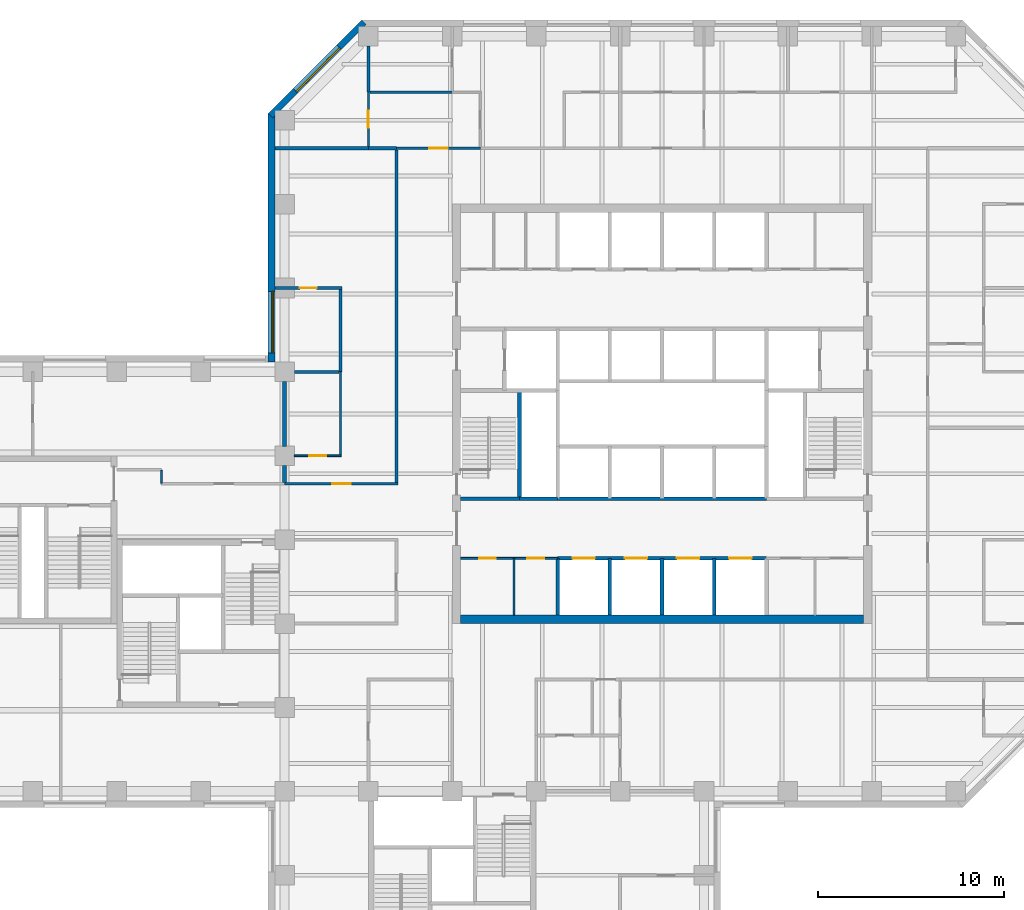
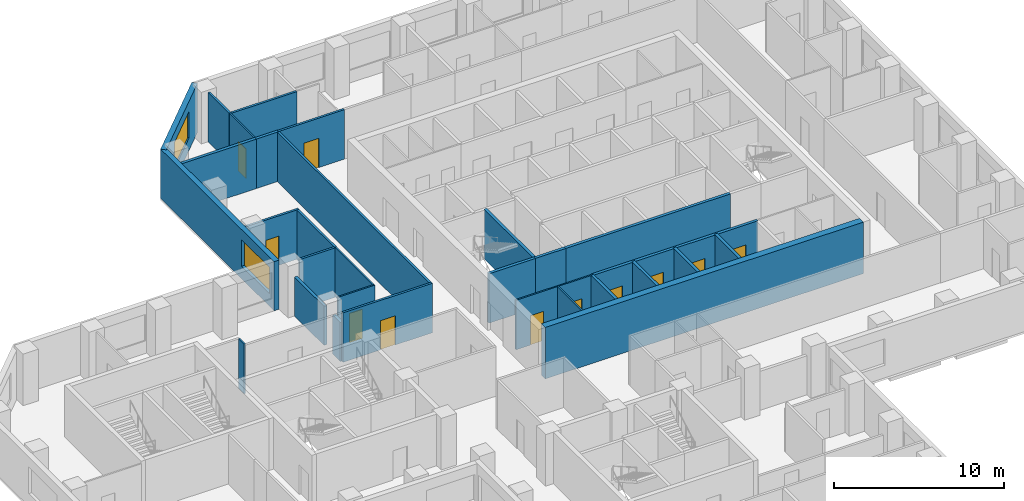
# One storey, part 6 of 11: 30 walls, 11 doors, 2 windows, 13 openings.
"""IFC4 building model written with IfcOpenShell, lengths in metres."""

import ifcopenshell
import ifcopenshell.guid

model = None  # the IFC model being written
_history = None  # IfcOwnerHistory: only IFC2X3 demands one
_inside = {}  # id of a spatial element -> (the spatial element, [elements in it])
_under = {}  # id of a project, library or spatial element -> (it, [spatial elements below it])
_declared = {}  # id of a project -> (the project, [libraries it declares])
_typed = {}  # id of a type object -> (the type object, [elements of that type])
_made_of = {}  # id of a material, layer set ... -> (it, [elements and type objects made of it])


def new_model(schema):
    """Start an empty IFC model of exactly this schema.

    Asked for "IFC4X3", IfcOpenShell would pick the latest addendum, in which some entities
    have other attributes; the version numbers below select the first issue.
    IFC2X3 requires an IfcOwnerHistory on every rooted entity: one is made here for all.
    """
    global model, _history
    if schema == "IFC4X3":
        model = ifcopenshell.file(schema_version=(4, 3, 0, 0))
    else:
        model = ifcopenshell.file(schema=schema)
    _inside.clear()
    _under.clear()
    _declared.clear()
    _typed.clear()
    _made_of.clear()
    _history = None
    if model.schema == "IFC2X3":
        org = make("IfcOrganization", Name="unknown")
        user = make(
            "IfcPersonAndOrganization",
            ThePerson=make("IfcPerson", FamilyName="unknown"),
            TheOrganization=org,
        )
        app = make(
            "IfcApplication",
            ApplicationDeveloper=org,
            Version="unknown",
            ApplicationFullName="unknown",
            ApplicationIdentifier="unknown",
        )
        _history = make(
            "IfcOwnerHistory",
            OwningUser=user,
            OwningApplication=app,
            ChangeAction="ADDED",
            CreationDate=0,
        )
    return model


def make(cls, **values):
    """One entity of the class cls with the attributes given. An attribute that is None is left unset."""
    return model.create_entity(
        cls, **{name: value for name, value in values.items() if value is not None}
    )


def rooted(cls, **values):
    """An entity with a GlobalId (a new one), such as an element, a storey or a relation."""
    return make(cls, GlobalId=ifcopenshell.guid.new(), OwnerHistory=_history, **values)


def si_unit(unit_type, name, prefix=None):
    """IfcSIUnit, for example si_unit("LENGTHUNIT", "METRE", prefix="MILLI")."""
    return make("IfcSIUnit", UnitType=unit_type, Prefix=prefix, Name=name)


def assignment(units):
    """IfcUnitAssignment: the units of a project."""
    return None if units is None else make("IfcUnitAssignment", Units=units)


def point(xyz):
    """IfcCartesianPoint."""
    return None if xyz is None else make("IfcCartesianPoint", Coordinates=xyz)


def direction(xyz):
    """IfcDirection."""
    return None if xyz is None else make("IfcDirection", DirectionRatios=xyz)


def frame(location, z_axis=None, x_axis=None):
    """IfcAxis2Placement3D, a coordinate frame: its origin and axes. An axis left out is left unset."""
    return make(
        "IfcAxis2Placement3D",
        Location=point(location),
        Axis=direction(z_axis),
        RefDirection=direction(x_axis),
    )


def frame_2d(location, x_axis=None):
    """IfcAxis2Placement2D, a coordinate frame in the plane: its origin and x axis."""
    return make(
        "IfcAxis2Placement2D", Location=point(location), RefDirection=direction(x_axis)
    )


def origin():
    """The frame at (0, 0, 0) with its axes left unset."""
    return frame((0.0, 0.0, 0.0))


def place(relative_to, where):
    """IfcLocalPlacement: puts the frame where relative to a parent placement (None: the world)."""
    return make(
        "IfcLocalPlacement", PlacementRelTo=relative_to, RelativePlacement=where
    )


def context(
    kind, dimensions, precision=None, world=None, true_north=None, identifier=None
):
    """IfcGeometricRepresentationContext, for example the 3D "Model" context."""
    return make(
        "IfcGeometricRepresentationContext",
        ContextIdentifier=identifier,
        ContextType=kind,
        CoordinateSpaceDimension=dimensions,
        Precision=precision,
        WorldCoordinateSystem=world,
        TrueNorth=true_north,
    )


def subcontext(parent, identifier, kind, view, scale=None):
    """IfcGeometricRepresentationSubContext, for example "Body" below "Model"."""
    return make(
        "IfcGeometricRepresentationSubContext",
        ContextIdentifier=identifier,
        ContextType=kind,
        ParentContext=parent,
        TargetScale=scale,
        TargetView=view,
    )


def project(units=None, contexts=None):
    """IfcProject with its units and contexts."""
    return rooted(
        "IfcProject",
        Name="project",
        RepresentationContexts=contexts,
        UnitsInContext=assignment(units),
    )


def spatial(cls, under=None, at=None, **own):
    """A site, building, storey or space (cls), placed at a placement, below another one or the project."""
    s = rooted(cls, ObjectPlacement=at, **own)
    if under is not None:
        _under.setdefault(under.id(), (under, []))[1].append(s)
    return s


def profile(cls, at=None, kind="AREA", **sizes):
    """A parametric profile (cls). Its sizes go by their IFC names, for example OverallWidth=200.0."""
    return make(cls, ProfileType=kind, Position=at, **sizes)


def rectangle(**sizes):
    """IfcRectangleProfileDef."""
    return profile("IfcRectangleProfileDef", **sizes)


def extrude(swept, where, along, depth):
    """IfcExtrudedAreaSolid: the profile swept, set in the frame where, extruded along a direction by depth."""
    return make(
        "IfcExtrudedAreaSolid",
        SweptArea=swept,
        Position=where,
        ExtrudedDirection=direction(along),
        Depth=depth,
    )


def shape(context_of_items, identifier, shape_type, items):
    """IfcShapeRepresentation: the items that make up one representation, for example the "Body"."""
    return make(
        "IfcShapeRepresentation",
        ContextOfItems=context_of_items,
        RepresentationIdentifier=identifier,
        RepresentationType=shape_type,
        Items=items,
    )


def material(Name=None, Category=None):
    """IfcMaterial."""
    return make("IfcMaterial", Name=Name, Category=Category)


def layer(
    of_material, thickness, ventilated=None, Name=None, Category=None, Priority=None
):
    """IfcMaterialLayer: one layer of a wall or slab, of a material (None: an air gap)."""
    return make(
        "IfcMaterialLayer",
        Material=of_material,
        LayerThickness=thickness,
        IsVentilated=ventilated,
        Name=Name,
        Category=Category,
        Priority=Priority,
    )


def layer_set(layers, Name=None):
    """IfcMaterialLayerSet."""
    return make("IfcMaterialLayerSet", MaterialLayers=layers, LayerSetName=Name)


def constituent(of_material, Name=None, Category=None, fraction=None):
    """IfcMaterialConstituent: one of the materials an element consists of."""
    return make(
        "IfcMaterialConstituent",
        Name=Name,
        Material=of_material,
        Fraction=fraction,
        Category=Category,
    )


def constituent_set(constituents=None, Name=None):
    """IfcMaterialConstituentSet."""
    return make(
        "IfcMaterialConstituentSet", Name=Name, MaterialConstituents=constituents
    )


def made_of(thing, what):
    """Note that an element or type object is made of a material, layer set ...; save() writes the relation."""
    if what is not None:
        _made_of.setdefault(what.id(), (what, []))[1].append(thing)
    return thing


def type_object(cls, material=None, **own):
    """A type object (cls), such as IfcWallType, which elements share."""
    return made_of(rooted(cls, **own), material)


def element(
    cls,
    number,
    at=None,
    inside=None,
    cuts=None,
    type_object=None,
    material=None,
    context=None,
    identifier="Body",
    shape_type=None,
    held_by="IfcProductDefinitionShape",
    body=None,
    shapes=None,
    **own,
):
    """One element of the class cls, such as IfcWall. Its Tag is "e" and its number.

    at: its placement. inside: the storey or other place that contains it. cuts: it is an
    opening in that element (IfcRelVoidsElement). A single representation is given by context,
    identifier, shape_type and body (its items); several are given by shapes. held_by: the class
    of the entity that holds the representations. save() writes the other relations.
    """
    e = rooted(cls, Tag="e%d" % number, ObjectPlacement=at, **own)
    if body is not None:
        shapes = [shape(context, identifier, shape_type, body)]
    if shapes is not None:
        e.Representation = make(held_by, Representations=shapes)
    if inside is not None:
        _inside.setdefault(inside.id(), (inside, []))[1].append(e)
    if cuts is not None:
        rooted(
            "IfcRelVoidsElement", RelatingBuildingElement=cuts, RelatedOpeningElement=e
        )
    if type_object is not None:
        _typed.setdefault(type_object.id(), (type_object, []))[1].append(e)
    return made_of(e, material)


def fill(opening, filler):
    """IfcRelFillsElement: the door or window that sits in an opening."""
    return rooted(
        "IfcRelFillsElement",
        RelatingOpeningElement=opening,
        RelatedBuildingElement=filler,
    )


def aggregate(whole, parts):
    """IfcRelAggregates: a whole, such as a stair, and the parts it consists of."""
    return rooted("IfcRelAggregates", RelatingObject=whole, RelatedObjects=parts)


def save(model, path):
    """Write the relations noted so far, then the file.

    IfcRelAggregates (storeys below a building ...), IfcRelContainedInSpatialStructure (elements
    in a storey), IfcRelDefinesByType, IfcRelAssociatesMaterial and IfcRelDeclares: one each for
    every whole, place, type object, material and project.
    """
    for whole, parts in _under.values():
        aggregate(whole, parts)
    for where, things in _inside.values():
        rooted(
            "IfcRelContainedInSpatialStructure",
            RelatedElements=things,
            RelatingStructure=where,
        )
    for kind, things in _typed.values():
        rooted("IfcRelDefinesByType", RelatedObjects=things, RelatingType=kind)
    for what, things in _made_of.values():
        rooted("IfcRelAssociatesMaterial", RelatedObjects=things, RelatingMaterial=what)
    for by, libraries in _declared.values():
        rooted("IfcRelDeclares", RelatingContext=by, RelatedDefinitions=libraries)
    model.write(path)


model = new_model("IFC4")

# Units and contexts
model_context = context("Model", 3, precision=1e-05, world=origin(), true_north=direction((0.0, 1.0)))
body_context = subcontext(model_context, "Body", "Model", "MODEL_VIEW")
ifc_project = project(units=[si_unit("LENGTHUNIT", "METRE"), si_unit("AREAUNIT", "SQUARE_METRE"), si_unit("VOLUMEUNIT", "CUBIC_METRE"), si_unit("PLANEANGLEUNIT", "RADIAN"), si_unit("MASSUNIT", "GRAM", prefix="KILO")], contexts=[model_context])

# Site, building, storey
site_placement = place(None, origin())
site = spatial("IfcSite", under=ifc_project, at=site_placement, CompositionType="ELEMENT")
building_placement = place(site_placement, origin())
building = spatial("IfcBuilding", under=site, at=building_placement, Name="Quoin Convention Tower", CompositionType="ELEMENT")
storey_placement = place(building_placement, frame((0.0, 0.0, 115.89990234375)))
storey = spatial("IfcBuildingStorey", under=building, at=storey_placement, Name="L30", CompositionType="ELEMENT", Elevation=115.89990234375)

# Wall
ifc_material_1 = material(Name="Plasterboard")
ifc_layer_1 = layer(ifc_material_1, 0.012451171875, Name="Finish")
ifc_material_2 = material(Name="Steel stud framing", Category="steel")
ifc_layer_2 = layer(ifc_material_2, 0.125, Name="Structure")
ifc_layer_3 = layer(ifc_material_1, 0.012451171875, Name="Finish")
ifc_layer_set_1 = layer_set([ifc_layer_1, ifc_layer_2, ifc_layer_3], Name="Steel stud framing")
wall_type_1 = type_object("IfcWallType", Name="Acoustic partition 150", PredefinedType="PARTITIONING", material=ifc_layer_set_1)
wall_1_placement = place(storey_placement, frame((36.52490234375, 63.0, 0.0), z_axis=(0.0, 0.0, 1.0), x_axis=(1.0, 0.0, 0.0)))
element("IfcWall", 1, at=wall_1_placement, inside=storey, type_object=wall_type_1, Name="pw-L30-038", PredefinedType="PARTITIONING", context=body_context, shape_type="SweptSolid", body=[
    extrude(rectangle(XDim=2.400146484375, YDim=0.14990234375, at=frame_2d((1.2001953125, 0.0))), origin(), (0.0, 0.0, 1.0), 3.550048828125),
])

# Wall, opening, door
wall_2_placement = place(storey_placement, frame((35.47509765625, 67.5, 0.0), z_axis=(0.0, 0.0, 1.0), x_axis=(1.0, 0.0, 0.0)))
wall_2 = element("IfcWall", 2, at=wall_2_placement, inside=storey, type_object=wall_type_1, Name="pw-L30-041", PredefinedType="PARTITIONING", context=body_context, shape_type="SweptSolid", body=[
    extrude(rectangle(XDim=3.599853515625, YDim=0.14990234375, at=frame_2d((1.7998046875, 0.0))), origin(), (0.0, 0.0, 1.0), 3.550048828125),
])
opening_1_placement = place(wall_2_placement, frame((1.35009765625, 0.0, 0.0)))
opening_1 = element("IfcOpeningElement", 3, at=opening_1_placement, cuts=wall_2, Name="Opening DOL6-15", PredefinedType="OPENING", context=body_context, shape_type="SweptSolid", body=[
    extrude(rectangle(XDim=0.89990234375, YDim=2.10009765625, at=frame_2d((0.449951171875, 1.050048828125))), frame((0.0, 0.0849609375, 0.0), z_axis=(0.0, -1.0, 0.0), x_axis=(1.0, 0.0, 0.0)), (0.0, 0.0, 1.0), 0.169921875),
])
ifc_material_3 = material(Name="Steel door leaf", Category="steel")
door_type_1 = type_object("IfcDoorType", Name="Office door 900 x 2100", OperationType="SINGLE_SWING_RIGHT", PredefinedType="DOOR", material=ifc_material_3)
door_1_placement = place(opening_1_placement, origin())
door_1 = element("IfcDoor", 4, at=door_1_placement, inside=storey, type_object=door_type_1, Name="dr-L30-42", OperationType="SINGLE_SWING_RIGHT", OverallHeight=2.10009765625, OverallWidth=0.89990234375, PredefinedType="DOOR", context=body_context, shape_type="SweptSolid", body=[
    extrude(rectangle(XDim=0.89990234375, YDim=2.10009765625, at=frame_2d((0.449951171875, 1.050048828125))), frame((0.0, 0.02490234375, 0.0), z_axis=(0.0, -1.0, 0.0), x_axis=(1.0, 0.0, 0.0)), (0.0, 0.0, 1.0), 0.050048828125),
])
fill(opening_1, door_1)

# Walls
for number, where, z_axis, x_axis, name in (
    (5, (40.574951171875, 78.0, 0.0), (0.0, 0.0, 1.0), (1.0, 0.0, 0.0), "pw-L30-052"),
    (6, (39.0, 63.0, 0.0), (0.0, 0.0, 1.0), (0.0, 1.0, 0.0), "pw-L30-093"),
):
    element("IfcWall", number, at=place(storey_placement, frame(where, z_axis=z_axis, x_axis=x_axis)), inside=storey, type_object=wall_type_1, Name=name, PredefinedType="PARTITIONING", context=body_context, shape_type="SweptSolid", body=[
        extrude(rectangle(XDim=4.425048828125, YDim=0.14990234375, at=frame_2d((2.21240234375, 0.0))), origin(), (0.0, 0.0, 1.0), 3.550048828125),
    ])
wall_3_placement = place(storey_placement, frame((40.5, 78.0, 0.0), z_axis=(0.0, 0.0, 1.0), x_axis=(0.0, 1.0, 0.0)))
element("IfcWall", 7, at=wall_3_placement, inside=storey, type_object=wall_type_1, Name="pw-L30-103", PredefinedType="PARTITIONING", context=body_context, shape_type="SweptSolid", body=[
    extrude(rectangle(XDim=2.47509765625, YDim=0.14990234375, at=frame_2d((1.237548828125, 0.0))), origin(), (0.0, 0.0, 1.0), 3.550048828125),
])

# Wall, opening, window
ifc_material_4 = material(Name="Brick masonry", Category="masonry")
ifc_layer_4 = layer(ifc_material_4, 0.35009765625)
ifc_layer_set_2 = layer_set([ifc_layer_4], Name="Brick masonry")
wall_type_2 = type_object("IfcWallType", Name="Brick facade wall", PredefinedType="STANDARD", material=ifc_layer_set_2)
wall_4_placement = place(storey_placement, frame((40.26123046875, 81.751220703125, 0.0), z_axis=(0.0, 0.0, 1.0), x_axis=(-0.707106781187, -0.707106781187, 0.0)))
wall_4 = element("IfcWall", 8, at=wall_4_placement, inside=storey, type_object=wall_type_2, Name="fw-L30-40500_81000", PredefinedType="STANDARD", context=body_context, shape_type="SweptSolid", body=[
    extrude(rectangle(XDim=7.088623046875, YDim=0.35009765625, at=frame_2d((3.54443359375, 0.0))), origin(), (0.0, 0.0, 1.0), 3.525146484375),
])
opening_2_placement = place(wall_4_placement, frame((1.894287109375, 0.0, 0.89990234375)))
opening_2 = element("IfcOpeningElement", 9, at=opening_2_placement, cuts=wall_4, Name="Opening W-02", PredefinedType="OPENING", context=body_context, shape_type="SweptSolid", body=[
    extrude(rectangle(XDim=3.300048828125, YDim=1.89990234375, at=frame_2d((1.64990234375, 0.949951171875))), frame((0.0, 0.18505859375, 0.0), z_axis=(0.0, -1.0, 0.0), x_axis=(1.0, 0.0, 0.0)), (0.0, 0.0, 1.0), 0.3701171875),
])
ifc_material_5 = material(Name="Aluminium", Category="aluminium")
ifc_constituent_1 = constituent(ifc_material_5, Name="Frame")
ifc_material_6 = material(Name="Insulated glass", Category="glass")
ifc_constituent_2 = constituent(ifc_material_6, Name="Glazing")
ifc_constituent_set = constituent_set(constituents=[ifc_constituent_1, ifc_constituent_2], Name="Aluminium")
window_type = type_object("IfcWindowType", Name="Office window", PartitioningType="DOUBLE_PANEL_VERTICAL", PredefinedType="WINDOW", material=ifc_constituent_set)
window_1_placement = place(opening_2_placement, origin())
window_1 = element("IfcWindow", 10, at=window_1_placement, inside=storey, type_object=window_type, Name="win-L30-37755_79245", OverallHeight=1.89990234375, OverallWidth=3.300048828125, PartitioningType="SINGLE_PANEL", PredefinedType="WINDOW", context=body_context, shape_type="SweptSolid", body=[
    extrude(rectangle(XDim=3.300048828125, YDim=1.89990234375, at=frame_2d((1.64990234375, 0.949951171875))), frame((0.0, 0.0849609375, 0.0), z_axis=(0.0, -1.0, 0.0), x_axis=(1.0, 0.0, 0.0)), (0.0, 0.0, 1.0), 0.06005859375),
])
fill(opening_2, window_1)

wall_5_placement = place(storey_placement, frame((35.300048828125, 76.8623046875, 0.0), z_axis=(0.0, 0.0, 1.0), x_axis=(0.0, -1.0, 0.0)))
wall_5 = element("IfcWall", 11, at=wall_5_placement, inside=storey, type_object=wall_type_2, Name="fw-L30-36000_76500", PredefinedType="STANDARD", context=body_context, shape_type="SweptSolid", body=[
    extrude(rectangle(XDim=13.33740234375, YDim=0.35009765625, at=frame_2d((6.668701171875, 0.0))), origin(), (0.0, 0.0, 1.0), 3.525146484375),
])
opening_3_placement = place(wall_5_placement, frame((9.537353515625, 0.0, 0.89990234375)))
opening_3 = element("IfcOpeningElement", 12, at=opening_3_placement, cuts=wall_5, Name="Opening W-02", PredefinedType="OPENING", context=body_context, shape_type="SweptSolid", body=[
    extrude(rectangle(XDim=3.300048828125, YDim=1.89990234375, at=frame_2d((1.64990234375, 0.949951171875))), frame((0.0, 0.18505859375, 0.0), z_axis=(0.0, -1.0, 0.0), x_axis=(1.0, 0.0, 0.0)), (0.0, 0.0, 1.0), 0.3701171875),
])
window_2_placement = place(opening_3_placement, origin())
window_2 = element("IfcWindow", 13, at=window_2_placement, inside=storey, type_object=window_type, Name="win-L30-35300_65250", OverallHeight=1.89990234375, OverallWidth=3.300048828125, PartitioningType="SINGLE_PANEL", PredefinedType="WINDOW", context=body_context, shape_type="SweptSolid", body=[
    extrude(rectangle(XDim=3.300048828125, YDim=1.89990234375, at=frame_2d((1.64990234375, 0.949951171875))), frame((0.0, 0.0849609375, 0.0), z_axis=(0.0, -1.0, 0.0), x_axis=(1.0, 0.0, 0.0)), (0.0, 0.0, 1.0), 0.06005859375),
])
fill(opening_3, window_2)

# Wall, openings, doors
ifc_layer_5 = layer(ifc_material_1, 0.012451171875, Name="Finish")
ifc_layer_6 = layer(ifc_material_2, 0.074951171875, Name="Structure")
ifc_layer_7 = layer(ifc_material_1, 0.012451171875, Name="Finish")
ifc_layer_set_3 = layer_set([ifc_layer_5, ifc_layer_6, ifc_layer_7], Name="Steel stud framing")
wall_type_3 = type_object("IfcWallType", Name="Core partition wall", PredefinedType="PARTITIONING", material=ifc_layer_set_3)
wall_6_placement = place(storey_placement, frame((45.449951171875, 53.0, 0.0), z_axis=(0.0, 0.0, 1.0), x_axis=(1.0, 0.0, 0.0)))
wall_6 = element("IfcWall", 14, at=wall_6_placement, inside=storey, type_object=wall_type_3, Name="cr-C1-L30-h3500_450", PredefinedType="PARTITIONING", context=body_context, shape_type="SweptSolid", body=[
    extrude(rectangle(XDim=5.199951171875, YDim=0.10009765625, at=frame_2d((2.60009765625, 0.0))), origin(), (0.0, 0.0, 1.0), 3.550048828125),
])
opening_4_placement = place(wall_6_placement, frame((0.97998046875, 0.0, 0.0)))
opening_4 = element("IfcOpeningElement", 15, at=opening_4_placement, cuts=wall_6, Name="Opening DCV4-34", PredefinedType="OPENING", context=body_context, shape_type="SweptSolid", body=[
    extrude(rectangle(XDim=0.89990234375, YDim=2.10009765625, at=frame_2d((0.449951171875, 1.050048828125))), frame((0.0, 0.06005859375, 0.0), z_axis=(0.0, -1.0, 0.0), x_axis=(1.0, 0.0, 0.0)), (0.0, 0.0, 1.0), 0.1201171875),
])
opening_5_placement = place(wall_6_placement, frame((3.580078125, 0.0, 0.0)))
opening_5 = element("IfcOpeningElement", 16, at=opening_5_placement, cuts=wall_6, Name="Opening DCV4-35", PredefinedType="OPENING", context=body_context, shape_type="SweptSolid", body=[
    extrude(rectangle(XDim=0.89990234375, YDim=2.10009765625, at=frame_2d((0.449951171875, 1.050048828125))), frame((0.0, 0.06005859375, 0.0), z_axis=(0.0, -1.0, 0.0), x_axis=(1.0, 0.0, 0.0)), (0.0, 0.0, 1.0), 0.1201171875),
])
door_type_2 = type_object("IfcDoorType", Name="Core room door 900 x 2100", OperationType="SINGLE_SWING_LEFT", PredefinedType="DOOR", material=ifc_material_3)
door_2_placement = place(opening_4_placement, frame((0.89990234375, 0.0, 0.0), z_axis=(0.0, 0.0, 1.0), x_axis=(-1.0, 0.0, 0.0)))
door_2 = element("IfcDoor", 17, at=door_2_placement, inside=storey, type_object=door_type_2, Name="cd-C1-L30-CSW0-lobA-CD3014", OperationType="SINGLE_SWING_LEFT", OverallHeight=2.10009765625, OverallWidth=0.89990234375, PredefinedType="DOOR", context=body_context, shape_type="SweptSolid", body=[
    extrude(rectangle(XDim=0.89990234375, YDim=2.10009765625, at=frame_2d((0.449951171875, 1.050048828125))), frame((0.0, 0.02490234375, 0.0), z_axis=(0.0, -1.0, 0.0), x_axis=(1.0, 0.0, 0.0)), (0.0, 0.0, 1.0), 0.050048828125),
])
fill(opening_4, door_2)
door_3_placement = place(opening_5_placement, frame((0.89990234375, 0.0, 0.0), z_axis=(0.0, 0.0, 1.0), x_axis=(-1.0, 0.0, 0.0)))
door_3 = element("IfcDoor", 18, at=door_3_placement, inside=storey, type_object=door_type_2, Name="cd-C1-L30-CSW1-lobA-CD3015", OperationType="SINGLE_SWING_LEFT", OverallHeight=2.10009765625, OverallWidth=0.89990234375, PredefinedType="DOOR", context=body_context, shape_type="SweptSolid", body=[
    extrude(rectangle(XDim=0.89990234375, YDim=2.10009765625, at=frame_2d((0.449951171875, 1.050048828125))), frame((0.0, 0.02490234375, 0.0), z_axis=(0.0, -1.0, 0.0), x_axis=(1.0, 0.0, 0.0)), (0.0, 0.0, 1.0), 0.050048828125),
])
fill(opening_5, door_3)

# Wall
wall_7_placement = place(storey_placement, frame((48.31005859375, 49.949951171875, 0.0), z_axis=(0.0, 0.0, 1.0), x_axis=(0.0, 1.0, 0.0)))
element("IfcWall", 19, at=wall_7_placement, inside=storey, type_object=wall_type_3, Name="cr-C1-L30-v3310_450", PredefinedType="PARTITIONING", context=body_context, shape_type="SweptSolid", body=[
    extrude(rectangle(XDim=3.050048828125, YDim=0.10009765625, at=frame_2d((1.52490234375, 0.0))), origin(), (0.0, 0.0, 1.0), 3.550048828125),
])

# Wall, openings, doors
ifc_material_7 = material(Name="Concrete C50", Category="concrete")
ifc_layer_8 = layer(ifc_material_7, 0.199951171875)
ifc_layer_set_4 = layer_set([ifc_layer_8], Name="Concrete C50")
wall_type_4 = type_object("IfcWallType", Name="Core shaft wall", PredefinedType="SOLIDWALL", material=ifc_layer_set_4)
wall_8_placement = place(storey_placement, frame((50.64990234375, 53.0, 0.0), z_axis=(0.0, 0.0, 1.0), x_axis=(1.0, 0.0, 0.0)))
wall_8 = element("IfcWall", 20, at=wall_8_placement, inside=storey, type_object=wall_type_4, Name="cr-C1-L30-h3500_5650", PredefinedType="SOLIDWALL", context=body_context, shape_type="SweptSolid", body=[
    extrude(rectangle(XDim=11.2001953125, YDim=0.199951171875, at=frame_2d((5.60009765625, 0.0))), origin(), (0.0, 0.0, 1.0), 3.550048828125),
])
opening_6_placement = place(wall_8_placement, frame((0.800048828125, 0.0, 0.0)))
opening_6 = element("IfcOpeningElement", 21, at=opening_6_placement, cuts=wall_8, Name="Opening LDL1", PredefinedType="OPENING", context=body_context, shape_type="SweptSolid", body=[
    extrude(rectangle(XDim=1.199951171875, YDim=2.10009765625, at=frame_2d((0.60009765625, 1.050048828125))), frame((0.0, 0.10986328125, 0.0), z_axis=(0.0, -1.0, 0.0), x_axis=(1.0, 0.0, 0.0)), (0.0, 0.0, 1.0), 0.219970703125),
])
opening_7_placement = place(wall_8_placement, frame((3.60009765625, 0.0, 0.0)))
opening_7 = element("IfcOpeningElement", 22, at=opening_7_placement, cuts=wall_8, Name="Opening LDL2", PredefinedType="OPENING", context=body_context, shape_type="SweptSolid", body=[
    extrude(rectangle(XDim=1.199951171875, YDim=2.10009765625, at=frame_2d((0.60009765625, 1.050048828125))), frame((0.0, 0.10986328125, 0.0), z_axis=(0.0, -1.0, 0.0), x_axis=(1.0, 0.0, 0.0)), (0.0, 0.0, 1.0), 0.219970703125),
])
opening_8_placement = place(wall_8_placement, frame((6.39990234375, 0.0, 0.0)))
opening_8 = element("IfcOpeningElement", 23, at=opening_8_placement, cuts=wall_8, Name="Opening LDL3", PredefinedType="OPENING", context=body_context, shape_type="SweptSolid", body=[
    extrude(rectangle(XDim=1.199951171875, YDim=2.10009765625, at=frame_2d((0.60009765625, 1.050048828125))), frame((0.0, 0.10986328125, 0.0), z_axis=(0.0, -1.0, 0.0), x_axis=(1.0, 0.0, 0.0)), (0.0, 0.0, 1.0), 0.219970703125),
])
opening_9_placement = place(wall_8_placement, frame((9.199951171875, 0.0, 0.0)))
opening_9 = element("IfcOpeningElement", 24, at=opening_9_placement, cuts=wall_8, Name="Opening LDL4", PredefinedType="OPENING", context=body_context, shape_type="SweptSolid", body=[
    extrude(rectangle(XDim=1.199951171875, YDim=2.10009765625, at=frame_2d((0.60009765625, 1.050048828125))), frame((0.0, 0.10986328125, 0.0), z_axis=(0.0, -1.0, 0.0), x_axis=(1.0, 0.0, 0.0)), (0.0, 0.0, 1.0), 0.219970703125),
])
door_type_3 = type_object("IfcDoorType", Name="Lift landing door 1200 x 2100", OperationType="DOUBLE_DOOR_SLIDING", PredefinedType="DOOR", material=ifc_material_3)
door_4_placement = place(opening_6_placement, origin())
door_4 = element("IfcDoor", 25, at=door_4_placement, inside=storey, type_object=door_type_3, Name="cd-C1-L30-R10-lobA-LDL1", OperationType="DOUBLE_DOOR_SLIDING", OverallHeight=2.10009765625, OverallWidth=1.199951171875, PredefinedType="DOOR", context=body_context, shape_type="SweptSolid", body=[
    extrude(rectangle(XDim=1.199951171875, YDim=2.10009765625, at=frame_2d((0.60009765625, 1.050048828125))), frame((0.0, 0.02490234375, 0.0), z_axis=(0.0, -1.0, 0.0), x_axis=(1.0, 0.0, 0.0)), (0.0, 0.0, 1.0), 0.050048828125),
])
fill(opening_6, door_4)
door_5_placement = place(opening_7_placement, origin())
door_5 = element("IfcDoor", 26, at=door_5_placement, inside=storey, type_object=door_type_3, Name="cd-C1-L30-R11-lobA-LDL2", OperationType="DOUBLE_DOOR_SLIDING", OverallHeight=2.10009765625, OverallWidth=1.199951171875, PredefinedType="DOOR", context=body_context, shape_type="SweptSolid", body=[
    extrude(rectangle(XDim=1.199951171875, YDim=2.10009765625, at=frame_2d((0.60009765625, 1.050048828125))), frame((0.0, 0.02490234375, 0.0), z_axis=(0.0, -1.0, 0.0), x_axis=(1.0, 0.0, 0.0)), (0.0, 0.0, 1.0), 0.050048828125),
])
fill(opening_7, door_5)
door_6_placement = place(opening_8_placement, origin())
door_6 = element("IfcDoor", 27, at=door_6_placement, inside=storey, type_object=door_type_3, Name="cd-C1-L30-R12-lobA-LDL3", OperationType="DOUBLE_DOOR_SLIDING", OverallHeight=2.10009765625, OverallWidth=1.199951171875, PredefinedType="DOOR", context=body_context, shape_type="SweptSolid", body=[
    extrude(rectangle(XDim=1.199951171875, YDim=2.10009765625, at=frame_2d((0.60009765625, 1.050048828125))), frame((0.0, 0.02490234375, 0.0), z_axis=(0.0, -1.0, 0.0), x_axis=(1.0, 0.0, 0.0)), (0.0, 0.0, 1.0), 0.050048828125),
])
fill(opening_8, door_6)
door_7_placement = place(opening_9_placement, origin())
door_7 = element("IfcDoor", 28, at=door_7_placement, inside=storey, type_object=door_type_3, Name="cd-C1-L30-R13-lobA-LDL4", OperationType="DOUBLE_DOOR_SLIDING", OverallHeight=2.10009765625, OverallWidth=1.199951171875, PredefinedType="DOOR", context=body_context, shape_type="SweptSolid", body=[
    extrude(rectangle(XDim=1.199951171875, YDim=2.10009765625, at=frame_2d((0.60009765625, 1.050048828125))), frame((0.0, 0.02490234375, 0.0), z_axis=(0.0, -1.0, 0.0), x_axis=(1.0, 0.0, 0.0)), (0.0, 0.0, 1.0), 0.050048828125),
])
fill(opening_9, door_7)

# Walls
wall_9_placement = place(storey_placement, frame((48.60009765625, 56.199951171875, 0.0), z_axis=(0.0, 0.0, 1.0), x_axis=(1.0, 0.0, 0.0)))
element("IfcWall", 29, at=wall_9_placement, inside=storey, type_object=wall_type_4, Name="cr-C1-L30-h6700_3600", PredefinedType="SOLIDWALL", context=body_context, shape_type="SweptSolid", body=[
    extrude(rectangle(XDim=2.0498046875, YDim=0.199951171875, at=frame_2d((1.02490234375, 0.0))), origin(), (0.0, 0.0, 1.0), 3.550048828125),
])
wall_10_placement = place(storey_placement, frame((45.449951171875, 56.199951171875, 0.0), z_axis=(0.0, 0.0, 1.0), x_axis=(1.0, 0.0, 0.0)))
element("IfcWall", 30, at=wall_10_placement, inside=storey, type_object=wall_type_4, Name="cr-C1-L30-h6700_450", PredefinedType="SOLIDWALL", context=body_context, shape_type="SweptSolid", body=[
    extrude(rectangle(XDim=3.150146484375, YDim=0.199951171875, at=frame_2d((1.5751953125, 0.0))), origin(), (0.0, 0.0, 1.0), 3.550048828125),
])
wall_11_placement = place(storey_placement, frame((50.64990234375, 56.199951171875, 0.0), z_axis=(0.0, 0.0, 1.0), x_axis=(1.0, 0.0, 0.0)))
element("IfcWall", 31, at=wall_11_placement, inside=storey, type_object=wall_type_4, Name="cr-C1-L30-h6700_5650", PredefinedType="SOLIDWALL", context=body_context, shape_type="SweptSolid", body=[
    extrude(rectangle(XDim=11.2001953125, YDim=0.199951171875, at=frame_2d((5.60009765625, 0.0))), origin(), (0.0, 0.0, 1.0), 3.550048828125),
])
wall_12_placement = place(storey_placement, frame((48.60009765625, 56.199951171875, 0.0), z_axis=(0.0, 0.0, 1.0), x_axis=(0.0, 1.0, 0.0)))
element("IfcWall", 32, at=wall_12_placement, inside=storey, type_object=wall_type_4, Name="cr-C1-L30-v3600_6700", PredefinedType="SOLIDWALL", context=body_context, shape_type="SweptSolid", body=[
    extrude(rectangle(XDim=5.800048828125, YDim=0.199951171875, at=frame_2d((2.89990234375, 0.0))), origin(), (0.0, 0.0, 1.0), 3.550048828125),
])
for number, where, z_axis, x_axis, name in (
    (33, (50.64990234375, 49.949951171875, 0.0), (0.0, 0.0, 1.0), (0.0, 1.0, 0.0), "cr-C1-L30-v5650_450"),
    (34, (53.449951171875, 49.949951171875, 0.0), (0.0, 0.0, 1.0), (0.0, 1.0, 0.0), "cr-C1-L30-v8450_450"),
    (35, (56.25, 49.949951171875, 0.0), (0.0, 0.0, 1.0), (0.0, 1.0, 0.0), "cr-C1-L30-v11250_450"),
    (36, (59.050048828125, 49.949951171875, 0.0), (0.0, 0.0, 1.0), (0.0, 1.0, 0.0), "cr-C1-L30-v14050_450"),
):
    element("IfcWall", number, at=place(storey_placement, frame(where, z_axis=z_axis, x_axis=x_axis)), inside=storey, type_object=wall_type_4, Name=name, PredefinedType="SOLIDWALL", context=body_context, shape_type="SweptSolid", body=[
        extrude(rectangle(XDim=3.050048828125, YDim=0.199951171875, at=frame_2d((1.52490234375, 0.0))), origin(), (0.0, 0.0, 1.0), 3.550048828125),
    ])

# Wall, opening, door
ifc_layer_9 = layer(ifc_material_1, 0.012451171875, Name="Finish")
ifc_layer_10 = layer(ifc_material_2, 0.125, Name="Structure")
ifc_layer_11 = layer(ifc_material_1, 0.012451171875, Name="Finish")
ifc_layer_set_5 = layer_set([ifc_layer_9, ifc_layer_10, ifc_layer_11], Name="Steel stud framing")
wall_type_5 = type_object("IfcWallType", Name="Corridor wall 150", PredefinedType="PARTITIONING", material=ifc_layer_set_5)
wall_13_placement = place(storey_placement, frame((36.0, 57.0, 0.0), z_axis=(0.0, 0.0, 1.0), x_axis=(1.0, 0.0, 0.0)))
wall_13 = element("IfcWall", 37, at=wall_13_placement, inside=storey, type_object=wall_type_5, Name="pw-L30-034", PredefinedType="PARTITIONING", context=body_context, shape_type="SweptSolid", body=[
    extrude(rectangle(XDim=6.074951171875, YDim=0.14990234375, at=frame_2d((3.03759765625, 0.0))), origin(), (0.0, 0.0, 1.0), 3.550048828125),
])
opening_10_placement = place(wall_13_placement, frame((2.550048828125, 0.0, 0.0)))
opening_10 = element("IfcOpeningElement", 38, at=opening_10_placement, cuts=wall_13, Name="Opening DOL6-12", PredefinedType="OPENING", context=body_context, shape_type="SweptSolid", body=[
    extrude(rectangle(XDim=1.0, YDim=2.10009765625, at=frame_2d((0.5, 1.050048828125))), frame((0.0, 0.0849609375, 0.0), z_axis=(0.0, -1.0, 0.0), x_axis=(1.0, 0.0, 0.0)), (0.0, 0.0, 1.0), 0.169921875),
])
door_type_4 = type_object("IfcDoorType", Name="Tenancy entrance door 1000 x 2100", OperationType="DOUBLE_DOOR_SINGLE_SWING", PredefinedType="DOOR", material=ifc_material_3)
door_8_placement = place(opening_10_placement, origin())
door_8 = element("IfcDoor", 39, at=door_8_placement, inside=storey, type_object=door_type_4, Name="dr-L30-40", OperationType="DOUBLE_DOOR_SINGLE_SWING", OverallHeight=2.10009765625, OverallWidth=1.0, PredefinedType="DOOR", context=body_context, shape_type="SweptSolid", body=[
    extrude(rectangle(XDim=1.0, YDim=2.10009765625, at=frame_2d((0.5, 1.050048828125))), frame((0.0, 0.02490234375, 0.0), z_axis=(0.0, -1.0, 0.0), x_axis=(1.0, 0.0, 0.0)), (0.0, 0.0, 1.0), 0.050048828125),
])
fill(opening_10, door_8)

wall_14_placement = place(storey_placement, frame((42.0, 75.0, 0.0), z_axis=(0.0, 0.0, 1.0), x_axis=(1.0, 0.0, 0.0)))
wall_14 = element("IfcWall", 40, at=wall_14_placement, inside=storey, type_object=wall_type_5, Name="pw-L30-046", PredefinedType="PARTITIONING", context=body_context, shape_type="SweptSolid", body=[
    extrude(rectangle(XDim=4.5, YDim=0.14990234375, at=frame_2d((2.25, 0.0))), origin(), (0.0, 0.0, 1.0), 3.550048828125),
])
opening_11_placement = place(wall_14_placement, frame((1.75, 0.0, 0.0)))
opening_11 = element("IfcOpeningElement", 41, at=opening_11_placement, cuts=wall_14, Name="Opening DOL6-17", PredefinedType="OPENING", context=body_context, shape_type="SweptSolid", body=[
    extrude(rectangle(XDim=1.0, YDim=2.10009765625, at=frame_2d((0.5, 1.050048828125))), frame((0.0, 0.0849609375, 0.0), z_axis=(0.0, -1.0, 0.0), x_axis=(1.0, 0.0, 0.0)), (0.0, 0.0, 1.0), 0.169921875),
])
door_9_placement = place(opening_11_placement, origin())
door_9 = element("IfcDoor", 42, at=door_9_placement, inside=storey, type_object=door_type_4, Name="dr-L30-29", OperationType="DOUBLE_DOOR_SINGLE_SWING", OverallHeight=2.10009765625, OverallWidth=1.0, PredefinedType="DOOR", context=body_context, shape_type="SweptSolid", body=[
    extrude(rectangle(XDim=1.0, YDim=2.10009765625, at=frame_2d((0.5, 1.050048828125))), frame((0.0, 0.02490234375, 0.0), z_axis=(0.0, -1.0, 0.0), x_axis=(1.0, 0.0, 0.0)), (0.0, 0.0, 1.0), 0.050048828125),
])
fill(opening_11, door_9)

# Walls
wall_15_placement = place(storey_placement, frame((42.0, 57.074951171875, 0.0), z_axis=(0.0, 0.0, 1.0), x_axis=(0.0, 1.0, 0.0)))
element("IfcWall", 43, at=wall_15_placement, inside=storey, type_object=wall_type_5, Name="pw-L30-087", PredefinedType="PARTITIONING", context=body_context, shape_type="SweptSolid", body=[
    extrude(rectangle(XDim=17.824951171875, YDim=0.14990234375, at=frame_2d((8.91259765625, 0.0))), origin(), (0.0, 0.0, 1.0), 3.550048828125),
])
ifc_material_8 = material(Name="Concrete C65", Category="concrete")
ifc_layer_12 = layer(ifc_material_8, 0.449951171875)
ifc_layer_set_6 = layer_set([ifc_layer_12], Name="Concrete C65")
wall_type_6 = type_object("IfcWallType", Name="RC CORE WALL 450 C65", PredefinedType="SHEAR", material=ifc_layer_set_6)
wall_16_placement = place(storey_placement, frame((45.449951171875, 49.72509765625, 0.0), z_axis=(0.0, 0.0, 1.0), x_axis=(1.0, 0.0, 0.0)))
element("IfcWall", 44, at=wall_16_placement, inside=storey, type_object=wall_type_6, Name="cwl-C1-L30-S", PredefinedType="SHEAR", context=body_context, shape_type="SweptSolid", body=[
    extrude(rectangle(XDim=21.60009765625, YDim=0.449951171875, at=frame_2d((10.800048828125, 0.0))), origin(), (0.0, 0.0, 1.0), 3.7001953125),
])

# Wall, opening, door
ifc_layer_13 = layer(ifc_material_1, 0.012451171875, Name="Finish")
ifc_layer_14 = layer(ifc_material_2, 0.074951171875, Name="Structure")
ifc_layer_15 = layer(ifc_material_1, 0.012451171875, Name="Finish")
ifc_layer_set_7 = layer_set([ifc_layer_13, ifc_layer_14, ifc_layer_15], Name="Steel stud framing")
wall_type_7 = type_object("IfcWallType", Name="Stud partition 100", PredefinedType="PARTITIONING", material=ifc_layer_set_7)
wall_17_placement = place(storey_placement, frame((36.52490234375, 58.5, 0.0), z_axis=(0.0, 0.0, 1.0), x_axis=(1.0, 0.0, 0.0)))
wall_17 = element("IfcWall", 45, at=wall_17_placement, inside=storey, type_object=wall_type_7, Name="pw-L30-035", PredefinedType="PARTITIONING", context=body_context, shape_type="SweptSolid", body=[
    extrude(rectangle(XDim=2.525146484375, YDim=0.10009765625, at=frame_2d((1.2626953125, 0.0))), origin(), (0.0, 0.0, 1.0), 3.550048828125),
])
opening_12_placement = place(wall_17_placement, frame((0.800048828125, 0.0, 0.0)))
opening_12 = element("IfcOpeningElement", 46, at=opening_12_placement, cuts=wall_17, Name="Opening DOL6-13", PredefinedType="OPENING", context=body_context, shape_type="SweptSolid", body=[
    extrude(rectangle(XDim=0.89990234375, YDim=2.10009765625, at=frame_2d((0.449951171875, 1.050048828125))), frame((0.0, 0.06005859375, 0.0), z_axis=(0.0, -1.0, 0.0), x_axis=(1.0, 0.0, 0.0)), (0.0, 0.0, 1.0), 0.1201171875),
])
door_10_placement = place(opening_12_placement, frame((0.89990234375, 0.0, 0.0), z_axis=(0.0, 0.0, 1.0), x_axis=(-1.0, 0.0, 0.0)))
door_10 = element("IfcDoor", 47, at=door_10_placement, inside=storey, type_object=door_type_1, Name="dr-L30-41", OperationType="SINGLE_SWING_LEFT", OverallHeight=2.10009765625, OverallWidth=0.89990234375, PredefinedType="DOOR", context=body_context, shape_type="SweptSolid", body=[
    extrude(rectangle(XDim=0.89990234375, YDim=2.10009765625, at=frame_2d((0.449951171875, 1.050048828125))), frame((0.0, 0.02490234375, 0.0), z_axis=(0.0, -1.0, 0.0), x_axis=(1.0, 0.0, 0.0)), (0.0, 0.0, 1.0), 0.050048828125),
])
fill(opening_12, door_10)

# Wall
wall_18_placement = place(storey_placement, frame((39.0, 58.550048828125, 0.0), z_axis=(0.0, 0.0, 1.0), x_axis=(0.0, 1.0, 0.0)))
element("IfcWall", 48, at=wall_18_placement, inside=storey, type_object=wall_type_7, Name="pw-L30-088", PredefinedType="PARTITIONING", context=body_context, shape_type="SweptSolid", body=[
    extrude(rectangle(XDim=4.449951171875, YDim=0.10009765625, at=frame_2d((2.22509765625, 0.0))), origin(), (0.0, 0.0, 1.0), 3.550048828125),
])

# Wall, opening, door
wall_19_placement = place(storey_placement, frame((40.5, 75.10009765625, 0.0), z_axis=(0.0, 0.0, 1.0), x_axis=(0.0, 1.0, 0.0)))
wall_19 = element("IfcWall", 49, at=wall_19_placement, inside=storey, type_object=wall_type_7, Name="pw-L30-102", PredefinedType="PARTITIONING", context=body_context, shape_type="SweptSolid", body=[
    extrude(rectangle(XDim=2.89990234375, YDim=0.10009765625, at=frame_2d((1.449951171875, 0.0))), origin(), (0.0, 0.0, 1.0), 3.550048828125),
])
opening_13_placement = place(wall_19_placement, frame((1.0, 0.0, 0.0)))
opening_13 = element("IfcOpeningElement", 50, at=opening_13_placement, cuts=wall_19, Name="Opening DOL6-35", PredefinedType="OPENING", context=body_context, shape_type="SweptSolid", body=[
    extrude(rectangle(XDim=0.89990234375, YDim=2.10009765625, at=frame_2d((0.449951171875, 1.050048828125))), frame((0.0, 0.06005859375, 0.0), z_axis=(0.0, -1.0, 0.0), x_axis=(1.0, 0.0, 0.0)), (0.0, 0.0, 1.0), 0.1201171875),
])
door_11_placement = place(opening_13_placement, origin())
door_11 = element("IfcDoor", 51, at=door_11_placement, inside=storey, type_object=door_type_1, Name="dr-L30-31", OperationType="SINGLE_SWING_RIGHT", OverallHeight=2.10009765625, OverallWidth=0.89990234375, PredefinedType="DOOR", context=body_context, shape_type="SweptSolid", body=[
    extrude(rectangle(XDim=0.89990234375, YDim=2.10009765625, at=frame_2d((0.449951171875, 1.050048828125))), frame((0.0, 0.02490234375, 0.0), z_axis=(0.0, -1.0, 0.0), x_axis=(1.0, 0.0, 0.0)), (0.0, 0.0, 1.0), 0.050048828125),
])
fill(opening_13, door_11)

# Walls
wall_20_placement = place(storey_placement, frame((29.39990234375, 57.715087890625, 0.0), z_axis=(0.0, 0.0, 1.0), x_axis=(0.0, -1.0, 0.0)))
element("IfcWall", 52, at=wall_20_placement, inside=storey, type_object=wall_type_7, Name="pw-L30-w04", PredefinedType="PARTITIONING", context=body_context, shape_type="SweptSolid", body=[
    extrude(rectangle(XDim=0.68017578125, YDim=0.10009765625, at=frame_2d((0.340087890625, 0.0))), origin(), (0.0, 0.0, 1.0), 3.550048828125),
])
ifc_layer_16 = layer(ifc_material_1, 0.012451171875, Name="Finish")
ifc_layer_17 = layer(ifc_material_2, 0.175048828125, Name="Structure")
ifc_layer_18 = layer(ifc_material_1, 0.012451171875, Name="Finish")
ifc_layer_set_8 = layer_set([ifc_layer_16, ifc_layer_17, ifc_layer_18], Name="Steel stud framing")
wall_type_8 = type_object("IfcWallType", Name="Tenancy demising wall 200", PredefinedType="PARTITIONING", material=ifc_layer_set_8)
wall_21_placement = place(storey_placement, frame((35.47509765625, 75.0, 0.0), z_axis=(0.0, 0.0, 1.0), x_axis=(1.0, 0.0, 0.0)))
element("IfcWall", 53, at=wall_21_placement, inside=storey, type_object=wall_type_8, Name="pw-L30-044", PredefinedType="PARTITIONING", context=body_context, shape_type="SweptSolid", body=[
    extrude(rectangle(XDim=5.02490234375, YDim=0.199951171875, at=frame_2d((2.512451171875, 0.0))), origin(), (0.0, 0.0, 1.0), 3.550048828125),
])
wall_22_placement = place(storey_placement, frame((40.5, 75.0, 0.0), z_axis=(0.0, 0.0, 1.0), x_axis=(1.0, 0.0, 0.0)))
element("IfcWall", 54, at=wall_22_placement, inside=storey, type_object=wall_type_8, Name="pw-L30-045", PredefinedType="PARTITIONING", context=body_context, shape_type="SweptSolid", body=[
    extrude(rectangle(XDim=1.5, YDim=0.199951171875, at=frame_2d((0.75, 0.0))), origin(), (0.0, 0.0, 1.0), 3.550048828125),
])
ifc_layer_19 = layer(ifc_material_1, 0.012451171875, Name="Finish")
ifc_layer_20 = layer(ifc_material_2, 0.175048828125, Name="Structure")
ifc_layer_21 = layer(ifc_material_1, 0.012451171875, Name="Finish")
ifc_layer_set_9 = layer_set([ifc_layer_19, ifc_layer_20, ifc_layer_21], Name="Steel stud framing")
wall_type_9 = type_object("IfcWallType", Name="Tenancy demising wall 200 under beam 750", PredefinedType="PARTITIONING", material=ifc_layer_set_9)
wall_23_placement = place(storey_placement, frame((36.0, 57.074951171875, 0.0), z_axis=(0.0, 0.0, 1.0), x_axis=(0.0, 1.0, 0.0)))
element("IfcWall", 55, at=wall_23_placement, inside=storey, type_object=wall_type_9, Name="pw-L30-086", PredefinedType="PARTITIONING", context=body_context, shape_type="SweptSolid", body=[
    extrude(rectangle(XDim=0.900146484375, YDim=0.199951171875, at=frame_2d((0.4501953125, 0.0))), origin(), (0.0, 0.0, 1.0), 2.800048828125),
])
wall_24_placement = place(storey_placement, frame((36.0, 58.9951171875, 0.0), z_axis=(0.0, 0.0, 1.0), x_axis=(0.0, 1.0, 0.0)))
element("IfcWall", 56, at=wall_24_placement, inside=storey, type_object=wall_type_9, Name="pw-L30-089", PredefinedType="PARTITIONING", context=body_context, shape_type="SweptSolid", body=[
    extrude(rectangle(XDim=3.47998046875, YDim=0.199951171875, at=frame_2d((1.739990234375, 0.0))), origin(), (0.0, 0.0, 1.0), 2.800048828125),
])

save(model, "model.ifc")
